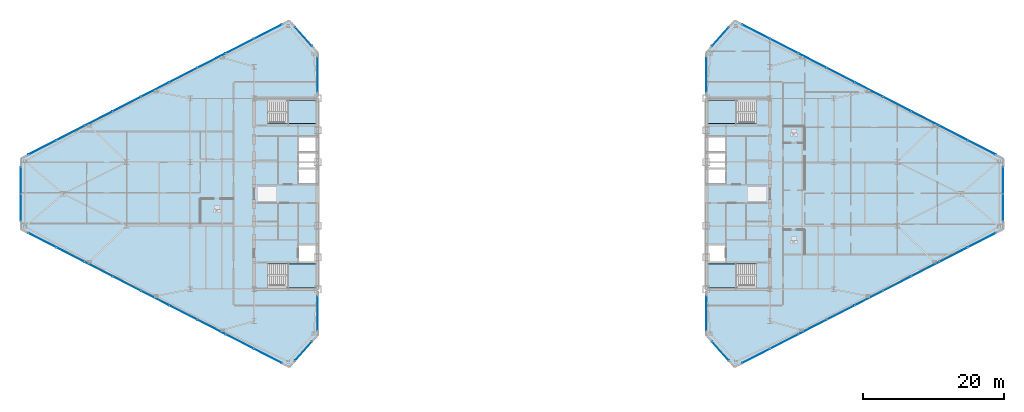
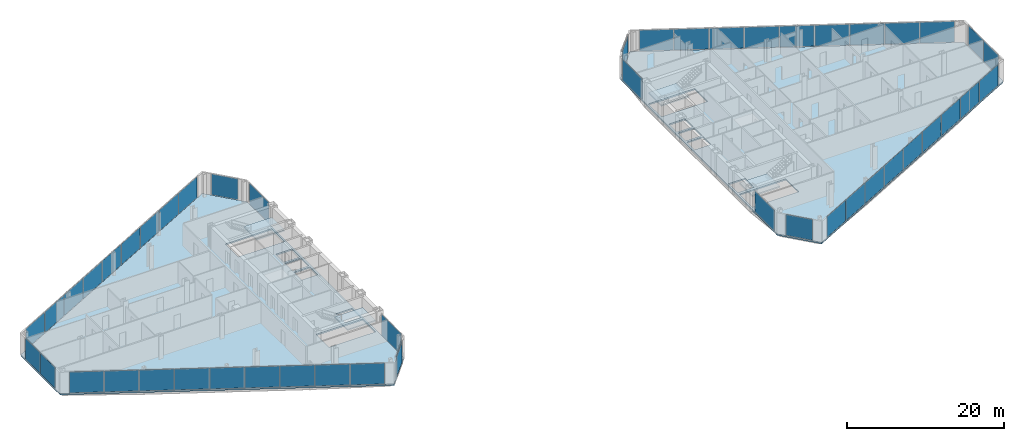
# One storey, part 14 of 22: 48 plates, 6 slabs, 18 elements without a shape of their own.
"""IFC4 building model written with IfcOpenShell, lengths in metres."""

from ifc_helpers import new_model, si_unit, direction, frame, origin, origin_2d, place, context, subcontext, project, spatial, polyline, rectangle, outline, extrude, source, transform, mapped, material, layer, layer_set, type_object, type_shapes, element, aggregate, save


model = new_model("IFC4")

# Units and contexts
model_context = context("Model", 3, precision=1e-05, world=origin(), true_north=direction((0.0, 1.0)))
body_context = subcontext(model_context, "Body", "Model", "MODEL_VIEW")
ifc_project = project(units=[si_unit("LENGTHUNIT", "METRE"), si_unit("AREAUNIT", "SQUARE_METRE"), si_unit("VOLUMEUNIT", "CUBIC_METRE"), si_unit("PLANEANGLEUNIT", "RADIAN"), si_unit("MASSUNIT", "GRAM", prefix="KILO")], contexts=[model_context])

# Site, building, storey
site_placement = place(None, origin())
site = spatial("IfcSite", under=ifc_project, at=site_placement, CompositionType="ELEMENT")
building_placement = place(site_placement, origin())
building = spatial("IfcBuilding", under=site, at=building_placement, Name="Seokmaru Belvedere", CompositionType="ELEMENT")
storey_placement = place(building_placement, frame((0.0, 0.0, 151.199951171875)))
storey = spatial("IfcBuildingStorey", under=building, at=storey_placement, Name="L40", CompositionType="ELEMENT", Elevation=151.199951171875)

# Stair, slab
ifc_material_1 = material(Name="Concrete C40 (40 MPa)", Category="concrete")
stair_type = type_object("IfcStairType", Name="Typical Tower Core Dog-Leg Stair 3600", PredefinedType="TWO_STRAIGHT_RUN_STAIR", material=ifc_material_1)
stair_1_placement = place(storey_placement, origin())
stair_1 = element("IfcStair", 1, at=stair_1_placement, inside=storey, type_object=stair_type, Name="L40 Special Escape Stair ST-W1", PredefinedType="TWO_STRAIGHT_RUN_STAIR")
ifc_layer_1 = layer(ifc_material_1, 0.199951171875)
ifc_layer_set_1 = layer_set([ifc_layer_1], Name="Concrete C40 (40 MPa)")
slab_type_1 = type_object("IfcSlabType", Name="Reinforced Concrete Stair Landing Slab 200", PredefinedType="LANDING", material=ifc_layer_set_1)
slab_1_placement = place(storey_placement, frame((0.0, 0.0, 1.60009765625)))
slab_1 = element("IfcSlab", 2, at=slab_1_placement, type_object=slab_type_1, Name="ST-W1 landing 1", PredefinedType="LANDING", context=body_context, shape_type="SweptSolid", body=[
    extrude(outline(polyline([(-31.8798828125, -13.239990234375), (-27.760009765625, -13.239990234375), (-27.760009765625, -9.949951171875), (-31.8798828125, -9.949951171875), (-31.8798828125, -13.239990234375)])), origin(), (0.0, 0.0, 1.0), 0.199951171875),
])
aggregate(stair_1, [slab_1])

stair_2_placement = place(storey_placement, origin())
stair_2 = element("IfcStair", 3, at=stair_2_placement, inside=storey, type_object=stair_type, Name="L40 Special Escape Stair ST-W2", PredefinedType="TWO_STRAIGHT_RUN_STAIR")
slab_2_placement = place(storey_placement, frame((0.0, 0.0, 1.60009765625)))
slab_2 = element("IfcSlab", 4, at=slab_2_placement, type_object=slab_type_1, Name="ST-W2 landing 1", PredefinedType="LANDING", context=body_context, shape_type="SweptSolid", body=[
    extrude(outline(polyline([(-31.8798828125, 9.949951171875), (-27.760009765625, 9.949951171875), (-27.760009765625, 13.239990234375), (-31.8798828125, 13.239990234375), (-31.8798828125, 9.949951171875)])), origin(), (0.0, 0.0, 1.0), 0.199951171875),
])
aggregate(stair_2, [slab_2])

stair_3_placement = place(storey_placement, origin())
stair_3 = element("IfcStair", 5, at=stair_3_placement, inside=storey, type_object=stair_type, Name="L40 Special Escape Stair ST-E1", PredefinedType="TWO_STRAIGHT_RUN_STAIR")
slab_3_placement = place(storey_placement, frame((0.0, 0.0, 1.60009765625)))
slab_3 = element("IfcSlab", 6, at=slab_3_placement, type_object=slab_type_1, Name="ST-E1 landing 1", PredefinedType="LANDING", context=body_context, shape_type="SweptSolid", body=[
    extrude(outline(polyline([(27.760009765625, -13.239990234375), (31.8798828125, -13.239990234375), (31.8798828125, -9.949951171875), (27.760009765625, -9.949951171875), (27.760009765625, -13.239990234375)])), origin(), (0.0, 0.0, 1.0), 0.199951171875),
])
aggregate(stair_3, [slab_3])

stair_4_placement = place(storey_placement, origin())
stair_4 = element("IfcStair", 7, at=stair_4_placement, inside=storey, type_object=stair_type, Name="L40 Special Escape Stair ST-E2", PredefinedType="TWO_STRAIGHT_RUN_STAIR")
slab_4_placement = place(storey_placement, frame((0.0, 0.0, 1.60009765625)))
slab_4 = element("IfcSlab", 8, at=slab_4_placement, type_object=slab_type_1, Name="ST-E2 landing 1", PredefinedType="LANDING", context=body_context, shape_type="SweptSolid", body=[
    extrude(outline(polyline([(27.760009765625, 9.949951171875), (31.8798828125, 9.949951171875), (31.8798828125, 13.239990234375), (27.760009765625, 13.239990234375), (27.760009765625, 9.949951171875)])), origin(), (0.0, 0.0, 1.0), 0.199951171875),
])
aggregate(stair_4, [slab_4])

# Slabs
ifc_layer_2 = layer(ifc_material_1, 0.219970703125)
ifc_layer_set_2 = layer_set([ifc_layer_2], Name="Concrete C40 (40 MPa)")
slab_type_2 = type_object("IfcSlabType", Name="Typical Tower Composite Floor Slab 220", PredefinedType="FLOOR", material=ifc_layer_set_2)
slab_5_placement = place(storey_placement, frame((0.0, 0.0, -0.219970703125)))
element("IfcSlab", 9, at=slab_5_placement, inside=storey, type_object=slab_type_2, Name="L40 West Leg Floor Slab", PredefinedType="FLOOR", context=body_context, shape_type="SweptSolid", body=[
    extrude(outline(polyline([(-27.5, -20.0), (-27.5, 20.0), (-31.5, 24.5), (-69.5, 5.0), (-69.5, -5.0), (-31.5, -24.5), (-27.5, -20.0)]), holes=[polyline([(-34.60009765625, -13.25), (-27.75, -13.25), (-27.75, -9.949951171875), (-34.60009765625, -9.949951171875), (-34.60009765625, -13.25)]), polyline([(-34.60009765625, 9.949951171875), (-27.75, 9.949951171875), (-27.75, 13.25), (-34.60009765625, 13.25), (-34.60009765625, 9.949951171875)]), polyline([(-30.14990234375, -9.550048828125), (-27.75, -9.550048828125), (-27.75, -7.25), (-30.14990234375, -7.25), (-30.14990234375, -9.550048828125)]), polyline([(-30.14990234375, 1.449951171875), (-27.75, 1.449951171875), (-27.75, 3.449951171875), (-30.14990234375, 3.449951171875), (-30.14990234375, 1.449951171875)]), polyline([(-30.14990234375, 3.75), (-27.75, 3.75), (-27.75, 5.75), (-30.14990234375, 5.75), (-30.14990234375, 3.75)]), polyline([(-30.14990234375, 6.050048828125), (-27.75, 6.050048828125), (-27.75, 8.050048828125), (-30.14990234375, 8.050048828125), (-30.14990234375, 6.050048828125)])]), origin(), (0.0, 0.0, 1.0), 0.219970703125),
])
slab_6_placement = place(storey_placement, frame((0.0, 0.0, -0.219970703125)))
element("IfcSlab", 10, at=slab_6_placement, inside=storey, type_object=slab_type_2, Name="L40 East Leg Floor Slab", PredefinedType="FLOOR", context=body_context, shape_type="SweptSolid", body=[
    extrude(outline(polyline([(31.5, -24.5), (69.5, -5.0), (69.5, 5.0), (31.5, 24.5), (27.5, 20.0), (27.5, -20.0), (31.5, -24.5)]), holes=[polyline([(27.75, -13.25), (34.60009765625, -13.25), (34.60009765625, -9.949951171875), (27.75, -9.949951171875), (27.75, -13.25)]), polyline([(27.75, 9.949951171875), (34.60009765625, 9.949951171875), (34.60009765625, 13.25), (27.75, 13.25), (27.75, 9.949951171875)]), polyline([(27.75, -9.550048828125), (30.14990234375, -9.550048828125), (30.14990234375, -7.25), (27.75, -7.25), (27.75, -9.550048828125)]), polyline([(27.75, 1.449951171875), (30.14990234375, 1.449951171875), (30.14990234375, 3.449951171875), (27.75, 3.449951171875), (27.75, 1.449951171875)]), polyline([(27.75, 3.75), (30.14990234375, 3.75), (30.14990234375, 5.75), (27.75, 5.75), (27.75, 3.75)]), polyline([(27.75, 6.050048828125), (30.14990234375, 6.050048828125), (30.14990234375, 8.050048828125), (27.75, 8.050048828125), (27.75, 6.050048828125)])]), origin(), (0.0, 0.0, 1.0), 0.219970703125),
])

# Curtain wall, plate
ifc_material_2 = material(Name="Bronze Triple Insulating Glass", Category="glass")
ifc_layer_3 = layer(ifc_material_2, 0.195068359375)
ifc_layer_set_3 = layer_set([ifc_layer_3], Name="Bronze Triple Insulating Glass")
curtain_wall_type = type_object("IfcCurtainWallType", Name="Sky-Lobby and Mid-Rise Curtain Wall System CW-4", PredefinedType="NOTDEFINED", material=ifc_layer_set_3)
curtain_wall_1_placement = place(storey_placement, origin())
curtain_wall_1 = element("IfcCurtainWall", 11, at=curtain_wall_1_placement, inside=storey, type_object=curtain_wall_type, Name="L40 Curtain Wall WF2", PredefinedType="NOTDEFINED")
ifc_layer_4 = layer(ifc_material_2, 0.035888671875)
ifc_layer_set_4 = layer_set([ifc_layer_4], Name="Bronze Triple Insulating Glass")
plate_type = type_object("IfcPlateType", Name="Bronze Triple Vision Glazing Panel 36", PredefinedType="CURTAIN_PANEL", material=ifc_layer_set_4)
shared_shape_1 = source(origin(), body_context, "Body", "SweptSolid", [
    extrude(rectangle(XDim=3.580810546875, YDim=0.035888671875, at=origin_2d()), origin(), (0.0, 0.0, 1.0), 3.25),
])
plate_1_placement = place(storey_placement, frame((-29.5, 22.25, 0.06494140625), z_axis=(0.0, 0.0, 1.0), x_axis=(-0.664363325694, 0.747409774804, 0.0)))
plate_1 = element("IfcPlate", 12, at=plate_1_placement, type_object=plate_type, Name="CW:L40:WF2 Glazing Panel 1-1", PredefinedType="CURTAIN_PANEL", context=body_context, shape_type="MappedRepresentation", body=[
    mapped(shared_shape_1, transform((0.0, 0.0, 0.0), scale=1.0)),
])
aggregate(curtain_wall_1, [plate_1])

curtain_wall_2_placement = place(storey_placement, origin())
curtain_wall_2 = element("IfcCurtainWall", 13, at=curtain_wall_2_placement, inside=storey, type_object=curtain_wall_type, Name="L40 Curtain Wall WF6", PredefinedType="NOTDEFINED")
plate_2_placement = place(storey_placement, frame((-29.5, -22.25, 0.06494140625), z_axis=(0.0, 0.0, 1.0), x_axis=(0.664363325694, 0.747409774804, 0.0)))
plate_2 = element("IfcPlate", 14, at=plate_2_placement, type_object=plate_type, Name="CW:L40:WF6 Glazing Panel 1-1", PredefinedType="CURTAIN_PANEL", context=body_context, shape_type="MappedRepresentation", body=[
    mapped(shared_shape_1, transform((0.0, 0.0, 0.0), scale=1.0)),
])
aggregate(curtain_wall_2, [plate_2])

curtain_wall_3_placement = place(storey_placement, origin())
curtain_wall_3 = element("IfcCurtainWall", 15, at=curtain_wall_3_placement, inside=storey, type_object=curtain_wall_type, Name="L40 Curtain Wall EF4", PredefinedType="NOTDEFINED")
plate_3_placement = place(storey_placement, frame((29.5, 22.25, 0.06494140625), z_axis=(0.0, 0.0, 1.0), x_axis=(-0.664363325694, -0.747409774804, 0.0)))
plate_3 = element("IfcPlate", 16, at=plate_3_placement, type_object=plate_type, Name="CW:L40:EF4 Glazing Panel 1-1", PredefinedType="CURTAIN_PANEL", context=body_context, shape_type="MappedRepresentation", body=[
    mapped(shared_shape_1, transform((0.0, 0.0, 0.0), scale=1.0)),
])
aggregate(curtain_wall_3, [plate_3])

curtain_wall_4_placement = place(storey_placement, origin())
curtain_wall_4 = element("IfcCurtainWall", 17, at=curtain_wall_4_placement, inside=storey, type_object=curtain_wall_type, Name="L40 Curtain Wall EF6", PredefinedType="NOTDEFINED")
plate_4_placement = place(storey_placement, frame((29.5, -22.25, 0.06494140625), z_axis=(0.0, 0.0, 1.0), x_axis=(0.664363325694, -0.747409774804, 0.0)))
plate_4 = element("IfcPlate", 18, at=plate_4_placement, type_object=plate_type, Name="CW:L40:EF6 Glazing Panel 1-1", PredefinedType="CURTAIN_PANEL", context=body_context, shape_type="MappedRepresentation", body=[
    mapped(shared_shape_1, transform((0.0, 0.0, 0.0), scale=1.0)),
])
aggregate(curtain_wall_4, [plate_4])

# Curtain wall, plates
curtain_wall_5_placement = place(storey_placement, origin())
curtain_wall_5 = element("IfcCurtainWall", 19, at=curtain_wall_5_placement, inside=storey, type_object=curtain_wall_type, Name="L40 Curtain Wall WF3", PredefinedType="NOTDEFINED")
shared_shape_2 = source(origin(), body_context, "Body", "SweptSolid", [
    extrude(rectangle(XDim=4.38525390625, YDim=0.035888671875, at=origin_2d()), origin(), (0.0, 0.0, 1.0), 3.25),
])
plate_5_placement = place(storey_placement, frame((-34.5361328125, 22.94189453125, 0.06494140625), z_axis=(0.0, 0.0, 1.0), x_axis=(-0.889695432562, -0.456554528263, 0.0)))
plate_5 = element("IfcPlate", 20, at=plate_5_placement, type_object=plate_type, Name="CW:L40:WF3 Glazing Panel 1-1", PredefinedType="CURTAIN_PANEL", context=body_context, shape_type="MappedRepresentation", body=[
    mapped(shared_shape_2, transform((0.0, 0.0, 0.0), scale=1.0)),
])
plate_6_placement = place(storey_placement, frame((-66.4638671875, 6.55810546875, 0.06494140625), z_axis=(0.0, 0.0, 1.0), x_axis=(-0.889695432562, -0.456554528263, 0.0)))
plate_6 = element("IfcPlate", 21, at=plate_6_placement, type_object=plate_type, Name="CW:L40:WF3 Glazing Panel 9-1", PredefinedType="CURTAIN_PANEL", context=body_context, shape_type="MappedRepresentation", body=[
    mapped(shared_shape_2, transform((0.0, 0.0, 0.0), scale=1.0)),
])

curtain_wall_6_placement = place(storey_placement, origin())
curtain_wall_6 = element("IfcCurtainWall", 22, at=curtain_wall_6_placement, inside=storey, type_object=curtain_wall_type, Name="L40 Curtain Wall WF5", PredefinedType="NOTDEFINED")
plate_7_placement = place(storey_placement, frame((-66.4638671875, -6.55810546875, 0.06494140625), z_axis=(0.0, 0.0, 1.0), x_axis=(0.889695432562, -0.456554528263, 0.0)))
plate_7 = element("IfcPlate", 23, at=plate_7_placement, type_object=plate_type, Name="CW:L40:WF5 Glazing Panel 1-1", PredefinedType="CURTAIN_PANEL", context=body_context, shape_type="MappedRepresentation", body=[
    mapped(shared_shape_2, transform((0.0, 0.0, 0.0), scale=1.0)),
])
plate_8_placement = place(storey_placement, frame((-34.5361328125, -22.94189453125, 0.06494140625), z_axis=(0.0, 0.0, 1.0), x_axis=(0.889695432562, -0.456554528263, 0.0)))
plate_8 = element("IfcPlate", 24, at=plate_8_placement, type_object=plate_type, Name="CW:L40:WF5 Glazing Panel 9-1", PredefinedType="CURTAIN_PANEL", context=body_context, shape_type="MappedRepresentation", body=[
    mapped(shared_shape_2, transform((0.0, 0.0, 0.0), scale=1.0)),
])

curtain_wall_7_placement = place(storey_placement, origin())
curtain_wall_7 = element("IfcCurtainWall", 25, at=curtain_wall_7_placement, inside=storey, type_object=curtain_wall_type, Name="L40 Curtain Wall EF1", PredefinedType="NOTDEFINED")
plate_9_placement = place(storey_placement, frame((34.5361328125, -22.94189453125, 0.06494140625), z_axis=(0.0, 0.0, 1.0), x_axis=(0.889695432562, 0.456554528263, 0.0)))
plate_9 = element("IfcPlate", 26, at=plate_9_placement, type_object=plate_type, Name="CW:L40:EF1 Glazing Panel 1-1", PredefinedType="CURTAIN_PANEL", context=body_context, shape_type="MappedRepresentation", body=[
    mapped(shared_shape_2, transform((0.0, 0.0, 0.0), scale=1.0)),
])
plate_10_placement = place(storey_placement, frame((66.4638671875, -6.55810546875, 0.06494140625), z_axis=(0.0, 0.0, 1.0), x_axis=(0.889695432562, 0.456554528263, 0.0)))
plate_10 = element("IfcPlate", 27, at=plate_10_placement, type_object=plate_type, Name="CW:L40:EF1 Glazing Panel 9-1", PredefinedType="CURTAIN_PANEL", context=body_context, shape_type="MappedRepresentation", body=[
    mapped(shared_shape_2, transform((0.0, 0.0, 0.0), scale=1.0)),
])

curtain_wall_8_placement = place(storey_placement, origin())
curtain_wall_8 = element("IfcCurtainWall", 28, at=curtain_wall_8_placement, inside=storey, type_object=curtain_wall_type, Name="L40 Curtain Wall EF3", PredefinedType="NOTDEFINED")
plate_11_placement = place(storey_placement, frame((66.4638671875, 6.55810546875, 0.06494140625), z_axis=(0.0, 0.0, 1.0), x_axis=(-0.889695432562, 0.456554528263, 0.0)))
plate_11 = element("IfcPlate", 29, at=plate_11_placement, type_object=plate_type, Name="CW:L40:EF3 Glazing Panel 1-1", PredefinedType="CURTAIN_PANEL", context=body_context, shape_type="MappedRepresentation", body=[
    mapped(shared_shape_2, transform((0.0, 0.0, 0.0), scale=1.0)),
])
plate_12_placement = place(storey_placement, frame((34.5361328125, 22.94189453125, 0.06494140625), z_axis=(0.0, 0.0, 1.0), x_axis=(-0.889695432562, 0.456554528263, 0.0)))
plate_12 = element("IfcPlate", 30, at=plate_12_placement, type_object=plate_type, Name="CW:L40:EF3 Glazing Panel 9-1", PredefinedType="CURTAIN_PANEL", context=body_context, shape_type="MappedRepresentation", body=[
    mapped(shared_shape_2, transform((0.0, 0.0, 0.0), scale=1.0)),
])

# Plate
shared_shape_3 = source(origin(), body_context, "Body", "SweptSolid", [
    extrude(rectangle(XDim=4.420166015625, YDim=0.035888671875, at=origin_2d()), origin(), (0.0, 0.0, 1.0), 3.25),
])
plate_13_placement = place(storey_placement, frame((-38.515380859375, 20.89990234375, 0.06494140625), z_axis=(0.0, 0.0, 1.0), x_axis=(-0.889695432562, -0.456554528263, 0.0)))
plate_13 = element("IfcPlate", 31, at=plate_13_placement, type_object=plate_type, Name="CW:L40:WF3 Glazing Panel 2-1", PredefinedType="CURTAIN_PANEL", context=body_context, shape_type="MappedRepresentation", body=[
    mapped(shared_shape_3, transform((0.0, 0.0, 0.0), scale=1.0)),
])

plate_14_placement = place(storey_placement, frame((-42.51025390625, 18.85009765625, 0.06494140625), z_axis=(0.0, 0.0, 1.0), x_axis=(-0.889695432562, -0.456554528263, 0.0)))
plate_14 = element("IfcPlate", 32, at=plate_14_placement, type_object=plate_type, Name="CW:L40:WF3 Glazing Panel 3-1", PredefinedType="CURTAIN_PANEL", context=body_context, shape_type="MappedRepresentation", body=[
    mapped(shared_shape_3, transform((0.0, 0.0, 0.0), scale=1.0)),
])

plate_15_placement = place(storey_placement, frame((-46.505126953125, 16.800048828125, 0.06494140625), z_axis=(0.0, 0.0, 1.0), x_axis=(-0.889695432562, -0.456554528263, 0.0)))
plate_15 = element("IfcPlate", 33, at=plate_15_placement, type_object=plate_type, Name="CW:L40:WF3 Glazing Panel 4-1", PredefinedType="CURTAIN_PANEL", context=body_context, shape_type="MappedRepresentation", body=[
    mapped(shared_shape_3, transform((0.0, 0.0, 0.0), scale=1.0)),
])

plate_16_placement = place(storey_placement, frame((-50.5, 14.75, 0.06494140625), z_axis=(0.0, 0.0, 1.0), x_axis=(-0.889695432562, -0.456554528263, 0.0)))
plate_16 = element("IfcPlate", 34, at=plate_16_placement, type_object=plate_type, Name="CW:L40:WF3 Glazing Panel 5-1", PredefinedType="CURTAIN_PANEL", context=body_context, shape_type="MappedRepresentation", body=[
    mapped(shared_shape_3, transform((0.0, 0.0, 0.0), scale=1.0)),
])

plate_17_placement = place(storey_placement, frame((-54.494873046875, 12.699951171875, 0.06494140625), z_axis=(0.0, 0.0, 1.0), x_axis=(-0.889695432562, -0.456554528263, 0.0)))
plate_17 = element("IfcPlate", 35, at=plate_17_placement, type_object=plate_type, Name="CW:L40:WF3 Glazing Panel 6-1", PredefinedType="CURTAIN_PANEL", context=body_context, shape_type="MappedRepresentation", body=[
    mapped(shared_shape_3, transform((0.0, 0.0, 0.0), scale=1.0)),
])

plate_18_placement = place(storey_placement, frame((-58.48974609375, 10.64990234375, 0.06494140625), z_axis=(0.0, 0.0, 1.0), x_axis=(-0.889695432562, -0.456554528263, 0.0)))
plate_18 = element("IfcPlate", 36, at=plate_18_placement, type_object=plate_type, Name="CW:L40:WF3 Glazing Panel 7-1", PredefinedType="CURTAIN_PANEL", context=body_context, shape_type="MappedRepresentation", body=[
    mapped(shared_shape_3, transform((0.0, 0.0, 0.0), scale=1.0)),
])

plate_19_placement = place(storey_placement, frame((-62.484619140625, 8.60009765625, 0.06494140625), z_axis=(0.0, 0.0, 1.0), x_axis=(-0.889695432562, -0.456554528263, 0.0)))
plate_19 = element("IfcPlate", 37, at=plate_19_placement, type_object=plate_type, Name="CW:L40:WF3 Glazing Panel 8-1", PredefinedType="CURTAIN_PANEL", context=body_context, shape_type="MappedRepresentation", body=[
    mapped(shared_shape_3, transform((0.0, 0.0, 0.0), scale=1.0)),
])

aggregate(curtain_wall_5, [plate_5, plate_13, plate_14, plate_15, plate_16, plate_17, plate_18, plate_19, plate_6])

plate_20_placement = place(storey_placement, frame((-62.484619140625, -8.60009765625, 0.06494140625), z_axis=(0.0, 0.0, 1.0), x_axis=(0.889695432562, -0.456554528263, 0.0)))
plate_20 = element("IfcPlate", 38, at=plate_20_placement, type_object=plate_type, Name="CW:L40:WF5 Glazing Panel 2-1", PredefinedType="CURTAIN_PANEL", context=body_context, shape_type="MappedRepresentation", body=[
    mapped(shared_shape_3, transform((0.0, 0.0, 0.0), scale=1.0)),
])

plate_21_placement = place(storey_placement, frame((-58.48974609375, -10.64990234375, 0.06494140625), z_axis=(0.0, 0.0, 1.0), x_axis=(0.889695432562, -0.456554528263, 0.0)))
plate_21 = element("IfcPlate", 39, at=plate_21_placement, type_object=plate_type, Name="CW:L40:WF5 Glazing Panel 3-1", PredefinedType="CURTAIN_PANEL", context=body_context, shape_type="MappedRepresentation", body=[
    mapped(shared_shape_3, transform((0.0, 0.0, 0.0), scale=1.0)),
])

plate_22_placement = place(storey_placement, frame((-54.494873046875, -12.699951171875, 0.06494140625), z_axis=(0.0, 0.0, 1.0), x_axis=(0.889695432562, -0.456554528263, 0.0)))
plate_22 = element("IfcPlate", 40, at=plate_22_placement, type_object=plate_type, Name="CW:L40:WF5 Glazing Panel 4-1", PredefinedType="CURTAIN_PANEL", context=body_context, shape_type="MappedRepresentation", body=[
    mapped(shared_shape_3, transform((0.0, 0.0, 0.0), scale=1.0)),
])

plate_23_placement = place(storey_placement, frame((-50.5, -14.75, 0.06494140625), z_axis=(0.0, 0.0, 1.0), x_axis=(0.889695432562, -0.456554528263, 0.0)))
plate_23 = element("IfcPlate", 41, at=plate_23_placement, type_object=plate_type, Name="CW:L40:WF5 Glazing Panel 5-1", PredefinedType="CURTAIN_PANEL", context=body_context, shape_type="MappedRepresentation", body=[
    mapped(shared_shape_3, transform((0.0, 0.0, 0.0), scale=1.0)),
])

plate_24_placement = place(storey_placement, frame((-46.505126953125, -16.800048828125, 0.06494140625), z_axis=(0.0, 0.0, 1.0), x_axis=(0.889695432562, -0.456554528263, 0.0)))
plate_24 = element("IfcPlate", 42, at=plate_24_placement, type_object=plate_type, Name="CW:L40:WF5 Glazing Panel 6-1", PredefinedType="CURTAIN_PANEL", context=body_context, shape_type="MappedRepresentation", body=[
    mapped(shared_shape_3, transform((0.0, 0.0, 0.0), scale=1.0)),
])

plate_25_placement = place(storey_placement, frame((-42.51025390625, -18.85009765625, 0.06494140625), z_axis=(0.0, 0.0, 1.0), x_axis=(0.889695432562, -0.456554528263, 0.0)))
plate_25 = element("IfcPlate", 43, at=plate_25_placement, type_object=plate_type, Name="CW:L40:WF5 Glazing Panel 7-1", PredefinedType="CURTAIN_PANEL", context=body_context, shape_type="MappedRepresentation", body=[
    mapped(shared_shape_3, transform((0.0, 0.0, 0.0), scale=1.0)),
])

plate_26_placement = place(storey_placement, frame((-38.515380859375, -20.89990234375, 0.06494140625), z_axis=(0.0, 0.0, 1.0), x_axis=(0.889695432562, -0.456554528263, 0.0)))
plate_26 = element("IfcPlate", 44, at=plate_26_placement, type_object=plate_type, Name="CW:L40:WF5 Glazing Panel 8-1", PredefinedType="CURTAIN_PANEL", context=body_context, shape_type="MappedRepresentation", body=[
    mapped(shared_shape_3, transform((0.0, 0.0, 0.0), scale=1.0)),
])

aggregate(curtain_wall_6, [plate_7, plate_20, plate_21, plate_22, plate_23, plate_24, plate_25, plate_26, plate_8])

plate_27_placement = place(storey_placement, frame((38.515380859375, -20.89990234375, 0.06494140625), z_axis=(0.0, 0.0, 1.0), x_axis=(0.889695432562, 0.456554528263, 0.0)))
plate_27 = element("IfcPlate", 45, at=plate_27_placement, type_object=plate_type, Name="CW:L40:EF1 Glazing Panel 2-1", PredefinedType="CURTAIN_PANEL", context=body_context, shape_type="MappedRepresentation", body=[
    mapped(shared_shape_3, transform((0.0, 0.0, 0.0), scale=1.0)),
])

plate_28_placement = place(storey_placement, frame((42.51025390625, -18.85009765625, 0.06494140625), z_axis=(0.0, 0.0, 1.0), x_axis=(0.889695432562, 0.456554528263, 0.0)))
plate_28 = element("IfcPlate", 46, at=plate_28_placement, type_object=plate_type, Name="CW:L40:EF1 Glazing Panel 3-1", PredefinedType="CURTAIN_PANEL", context=body_context, shape_type="MappedRepresentation", body=[
    mapped(shared_shape_3, transform((0.0, 0.0, 0.0), scale=1.0)),
])

plate_29_placement = place(storey_placement, frame((46.505126953125, -16.800048828125, 0.06494140625), z_axis=(0.0, 0.0, 1.0), x_axis=(0.889695432562, 0.456554528263, 0.0)))
plate_29 = element("IfcPlate", 47, at=plate_29_placement, type_object=plate_type, Name="CW:L40:EF1 Glazing Panel 4-1", PredefinedType="CURTAIN_PANEL", context=body_context, shape_type="MappedRepresentation", body=[
    mapped(shared_shape_3, transform((0.0, 0.0, 0.0), scale=1.0)),
])

plate_30_placement = place(storey_placement, frame((50.5, -14.75, 0.06494140625), z_axis=(0.0, 0.0, 1.0), x_axis=(0.889695432562, 0.456554528263, 0.0)))
plate_30 = element("IfcPlate", 48, at=plate_30_placement, type_object=plate_type, Name="CW:L40:EF1 Glazing Panel 5-1", PredefinedType="CURTAIN_PANEL", context=body_context, shape_type="MappedRepresentation", body=[
    mapped(shared_shape_3, transform((0.0, 0.0, 0.0), scale=1.0)),
])

plate_31_placement = place(storey_placement, frame((54.494873046875, -12.699951171875, 0.06494140625), z_axis=(0.0, 0.0, 1.0), x_axis=(0.889695432562, 0.456554528263, 0.0)))
plate_31 = element("IfcPlate", 49, at=plate_31_placement, type_object=plate_type, Name="CW:L40:EF1 Glazing Panel 6-1", PredefinedType="CURTAIN_PANEL", context=body_context, shape_type="MappedRepresentation", body=[
    mapped(shared_shape_3, transform((0.0, 0.0, 0.0), scale=1.0)),
])

plate_32_placement = place(storey_placement, frame((58.48974609375, -10.64990234375, 0.06494140625), z_axis=(0.0, 0.0, 1.0), x_axis=(0.889695432562, 0.456554528263, 0.0)))
plate_32 = element("IfcPlate", 50, at=plate_32_placement, type_object=plate_type, Name="CW:L40:EF1 Glazing Panel 7-1", PredefinedType="CURTAIN_PANEL", context=body_context, shape_type="MappedRepresentation", body=[
    mapped(shared_shape_3, transform((0.0, 0.0, 0.0), scale=1.0)),
])

plate_33_placement = place(storey_placement, frame((62.484619140625, -8.60009765625, 0.06494140625), z_axis=(0.0, 0.0, 1.0), x_axis=(0.889695432562, 0.456554528263, 0.0)))
plate_33 = element("IfcPlate", 51, at=plate_33_placement, type_object=plate_type, Name="CW:L40:EF1 Glazing Panel 8-1", PredefinedType="CURTAIN_PANEL", context=body_context, shape_type="MappedRepresentation", body=[
    mapped(shared_shape_3, transform((0.0, 0.0, 0.0), scale=1.0)),
])

aggregate(curtain_wall_7, [plate_9, plate_27, plate_28, plate_29, plate_30, plate_31, plate_32, plate_33, plate_10])

plate_34_placement = place(storey_placement, frame((62.484619140625, 8.60009765625, 0.06494140625), z_axis=(0.0, 0.0, 1.0), x_axis=(-0.889695432562, 0.456554528263, 0.0)))
plate_34 = element("IfcPlate", 52, at=plate_34_placement, type_object=plate_type, Name="CW:L40:EF3 Glazing Panel 2-1", PredefinedType="CURTAIN_PANEL", context=body_context, shape_type="MappedRepresentation", body=[
    mapped(shared_shape_3, transform((0.0, 0.0, 0.0), scale=1.0)),
])

plate_35_placement = place(storey_placement, frame((58.48974609375, 10.64990234375, 0.06494140625), z_axis=(0.0, 0.0, 1.0), x_axis=(-0.889695432562, 0.456554528263, 0.0)))
plate_35 = element("IfcPlate", 53, at=plate_35_placement, type_object=plate_type, Name="CW:L40:EF3 Glazing Panel 3-1", PredefinedType="CURTAIN_PANEL", context=body_context, shape_type="MappedRepresentation", body=[
    mapped(shared_shape_3, transform((0.0, 0.0, 0.0), scale=1.0)),
])

plate_36_placement = place(storey_placement, frame((54.494873046875, 12.699951171875, 0.06494140625), z_axis=(0.0, 0.0, 1.0), x_axis=(-0.889695432562, 0.456554528263, 0.0)))
plate_36 = element("IfcPlate", 54, at=plate_36_placement, type_object=plate_type, Name="CW:L40:EF3 Glazing Panel 4-1", PredefinedType="CURTAIN_PANEL", context=body_context, shape_type="MappedRepresentation", body=[
    mapped(shared_shape_3, transform((0.0, 0.0, 0.0), scale=1.0)),
])

plate_37_placement = place(storey_placement, frame((50.5, 14.75, 0.06494140625), z_axis=(0.0, 0.0, 1.0), x_axis=(-0.889695432562, 0.456554528263, 0.0)))
plate_37 = element("IfcPlate", 55, at=plate_37_placement, type_object=plate_type, Name="CW:L40:EF3 Glazing Panel 5-1", PredefinedType="CURTAIN_PANEL", context=body_context, shape_type="MappedRepresentation", body=[
    mapped(shared_shape_3, transform((0.0, 0.0, 0.0), scale=1.0)),
])

plate_38_placement = place(storey_placement, frame((46.505126953125, 16.800048828125, 0.06494140625), z_axis=(0.0, 0.0, 1.0), x_axis=(-0.889695432562, 0.456554528263, 0.0)))
plate_38 = element("IfcPlate", 56, at=plate_38_placement, type_object=plate_type, Name="CW:L40:EF3 Glazing Panel 6-1", PredefinedType="CURTAIN_PANEL", context=body_context, shape_type="MappedRepresentation", body=[
    mapped(shared_shape_3, transform((0.0, 0.0, 0.0), scale=1.0)),
])

plate_39_placement = place(storey_placement, frame((42.51025390625, 18.85009765625, 0.06494140625), z_axis=(0.0, 0.0, 1.0), x_axis=(-0.889695432562, 0.456554528263, 0.0)))
plate_39 = element("IfcPlate", 57, at=plate_39_placement, type_object=plate_type, Name="CW:L40:EF3 Glazing Panel 7-1", PredefinedType="CURTAIN_PANEL", context=body_context, shape_type="MappedRepresentation", body=[
    mapped(shared_shape_3, transform((0.0, 0.0, 0.0), scale=1.0)),
])

plate_40_placement = place(storey_placement, frame((38.515380859375, 20.89990234375, 0.06494140625), z_axis=(0.0, 0.0, 1.0), x_axis=(-0.889695432562, 0.456554528263, 0.0)))
plate_40 = element("IfcPlate", 58, at=plate_40_placement, type_object=plate_type, Name="CW:L40:EF3 Glazing Panel 8-1", PredefinedType="CURTAIN_PANEL", context=body_context, shape_type="MappedRepresentation", body=[
    mapped(shared_shape_3, transform((0.0, 0.0, 0.0), scale=1.0)),
])

aggregate(curtain_wall_8, [plate_11, plate_34, plate_35, plate_36, plate_37, plate_38, plate_39, plate_40, plate_12])

# Curtain wall, plates
curtain_wall_9_placement = place(storey_placement, origin())
curtain_wall_9 = element("IfcCurtainWall", 59, at=curtain_wall_9_placement, inside=storey, type_object=curtain_wall_type, Name="L40 Curtain Wall WF4", PredefinedType="NOTDEFINED")
shared_shape_4 = source(origin(), body_context, "Body", "SweptSolid", [
    extrude(rectangle(XDim=3.7451171875, YDim=0.035888671875, at=origin_2d()), origin(), (0.0, 0.0, 1.0), 3.25),
])
plate_41_placement = place(storey_placement, frame((-69.5, 1.907470703125, 0.06494140625), z_axis=(0.0, 0.0, 1.0), x_axis=(0.0, -1.0, 0.0)))
plate_41 = element("IfcPlate", 60, at=plate_41_placement, type_object=plate_type, Name="CW:L40:WF4 Glazing Panel 1-1", PredefinedType="CURTAIN_PANEL", context=body_context, shape_type="MappedRepresentation", body=[
    mapped(shared_shape_4, transform((0.0, 0.0, 0.0), scale=1.0)),
])
plate_42_placement = place(storey_placement, frame((-69.5, -1.907470703125, 0.06494140625), z_axis=(0.0, 0.0, 1.0), x_axis=(0.0, -1.0, 0.0)))
plate_42 = element("IfcPlate", 61, at=plate_42_placement, type_object=plate_type, Name="CW:L40:WF4 Glazing Panel 2-1", PredefinedType="CURTAIN_PANEL", context=body_context, shape_type="MappedRepresentation", body=[
    mapped(shared_shape_4, transform((0.0, 0.0, 0.0), scale=1.0)),
])
aggregate(curtain_wall_9, [plate_41, plate_42])

curtain_wall_10_placement = place(storey_placement, origin())
curtain_wall_10 = element("IfcCurtainWall", 62, at=curtain_wall_10_placement, inside=storey, type_object=curtain_wall_type, Name="L40 Curtain Wall EF2", PredefinedType="NOTDEFINED")
plate_43_placement = place(storey_placement, frame((69.5, -1.907470703125, 0.06494140625), z_axis=(0.0, 0.0, 1.0), x_axis=(0.0, 1.0, 0.0)))
plate_43 = element("IfcPlate", 63, at=plate_43_placement, type_object=plate_type, Name="CW:L40:EF2 Glazing Panel 1-1", PredefinedType="CURTAIN_PANEL", context=body_context, shape_type="MappedRepresentation", body=[
    mapped(shared_shape_4, transform((0.0, 0.0, 0.0), scale=1.0)),
])
plate_44_placement = place(storey_placement, frame((69.5, 1.907470703125, 0.06494140625), z_axis=(0.0, 0.0, 1.0), x_axis=(0.0, 1.0, 0.0)))
plate_44 = element("IfcPlate", 64, at=plate_44_placement, type_object=plate_type, Name="CW:L40:EF2 Glazing Panel 2-1", PredefinedType="CURTAIN_PANEL", context=body_context, shape_type="MappedRepresentation", body=[
    mapped(shared_shape_4, transform((0.0, 0.0, 0.0), scale=1.0)),
])
aggregate(curtain_wall_10, [plate_43, plate_44])

# Curtain wall, plate
curtain_wall_11_placement = place(storey_placement, origin())
curtain_wall_11 = element("IfcCurtainWall", 65, at=curtain_wall_11_placement, inside=storey, type_object=curtain_wall_type, Name="L40 Curtain Wall WSP_1", PredefinedType="NOTDEFINED")
shared_shape_5 = source(origin(), body_context, "Body", "SweptSolid", [
    extrude(rectangle(XDim=4.9599609375, YDim=0.035888671875, at=origin_2d()), origin(), (0.0, 0.0, 1.0), 3.25),
])
type_shapes(plate_type, [shared_shape_1, shared_shape_2, shared_shape_3, shared_shape_4, shared_shape_5])
plate_45_placement = place(storey_placement, frame((-27.5, -16.8798828125, 0.06494140625), z_axis=(0.0, 0.0, 1.0), x_axis=(0.0, 1.0, 0.0)))
plate_45 = element("IfcPlate", 66, at=plate_45_placement, type_object=plate_type, Name="CW:L40:WSP_1 Glazing Panel 1-1", PredefinedType="CURTAIN_PANEL", context=body_context, shape_type="MappedRepresentation", body=[
    mapped(shared_shape_5, transform((0.0, 0.0, 0.0), scale=1.0)),
])
aggregate(curtain_wall_11, [plate_45])

curtain_wall_12_placement = place(storey_placement, origin())
curtain_wall_12 = element("IfcCurtainWall", 67, at=curtain_wall_12_placement, inside=storey, type_object=curtain_wall_type, Name="L40 Curtain Wall WSP_2", PredefinedType="NOTDEFINED")
plate_46_placement = place(storey_placement, frame((-27.5, 16.8798828125, 0.06494140625), z_axis=(0.0, 0.0, 1.0), x_axis=(0.0, 1.0, 0.0)))
plate_46 = element("IfcPlate", 68, at=plate_46_placement, type_object=plate_type, Name="CW:L40:WSP_2 Glazing Panel 1-1", PredefinedType="CURTAIN_PANEL", context=body_context, shape_type="MappedRepresentation", body=[
    mapped(shared_shape_5, transform((0.0, 0.0, 0.0), scale=1.0)),
])
aggregate(curtain_wall_12, [plate_46])

curtain_wall_13_placement = place(storey_placement, origin())
curtain_wall_13 = element("IfcCurtainWall", 69, at=curtain_wall_13_placement, inside=storey, type_object=curtain_wall_type, Name="L40 Curtain Wall ESP_1", PredefinedType="NOTDEFINED")
plate_47_placement = place(storey_placement, frame((27.5, -16.8798828125, 0.06494140625), z_axis=(0.0, 0.0, 1.0), x_axis=(0.0, -1.0, 0.0)))
plate_47 = element("IfcPlate", 70, at=plate_47_placement, type_object=plate_type, Name="CW:L40:ESP_1 Glazing Panel 1-1", PredefinedType="CURTAIN_PANEL", context=body_context, shape_type="MappedRepresentation", body=[
    mapped(shared_shape_5, transform((0.0, 0.0, 0.0), scale=1.0)),
])
aggregate(curtain_wall_13, [plate_47])

curtain_wall_14_placement = place(storey_placement, origin())
curtain_wall_14 = element("IfcCurtainWall", 71, at=curtain_wall_14_placement, inside=storey, type_object=curtain_wall_type, Name="L40 Curtain Wall ESP_2", PredefinedType="NOTDEFINED")
plate_48_placement = place(storey_placement, frame((27.5, 16.8798828125, 0.06494140625), z_axis=(0.0, 0.0, 1.0), x_axis=(0.0, -1.0, 0.0)))
plate_48 = element("IfcPlate", 72, at=plate_48_placement, type_object=plate_type, Name="CW:L40:ESP_2 Glazing Panel 1-1", PredefinedType="CURTAIN_PANEL", context=body_context, shape_type="MappedRepresentation", body=[
    mapped(shared_shape_5, transform((0.0, 0.0, 0.0), scale=1.0)),
])
aggregate(curtain_wall_14, [plate_48])

save(model, "model.ifc")
